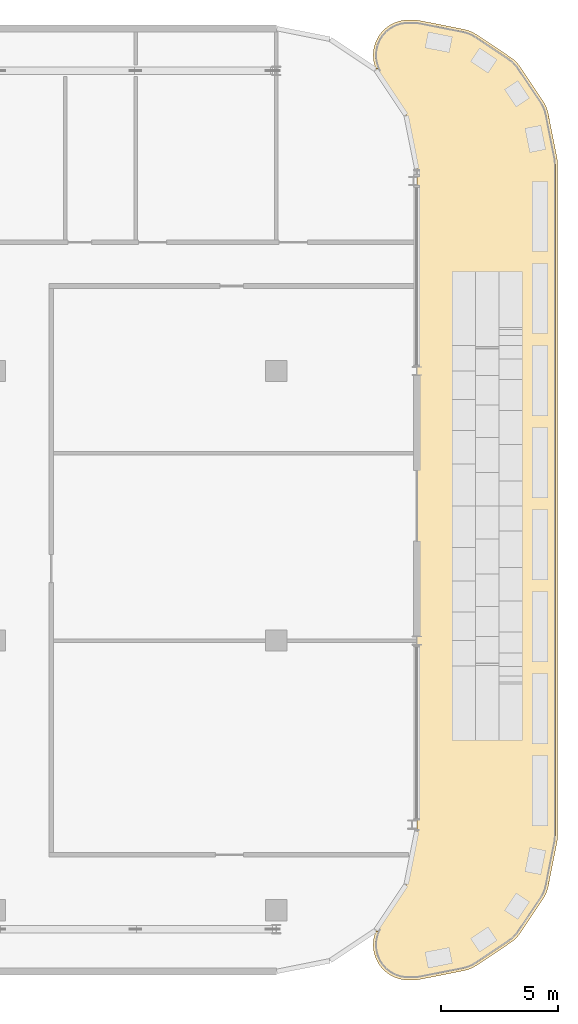
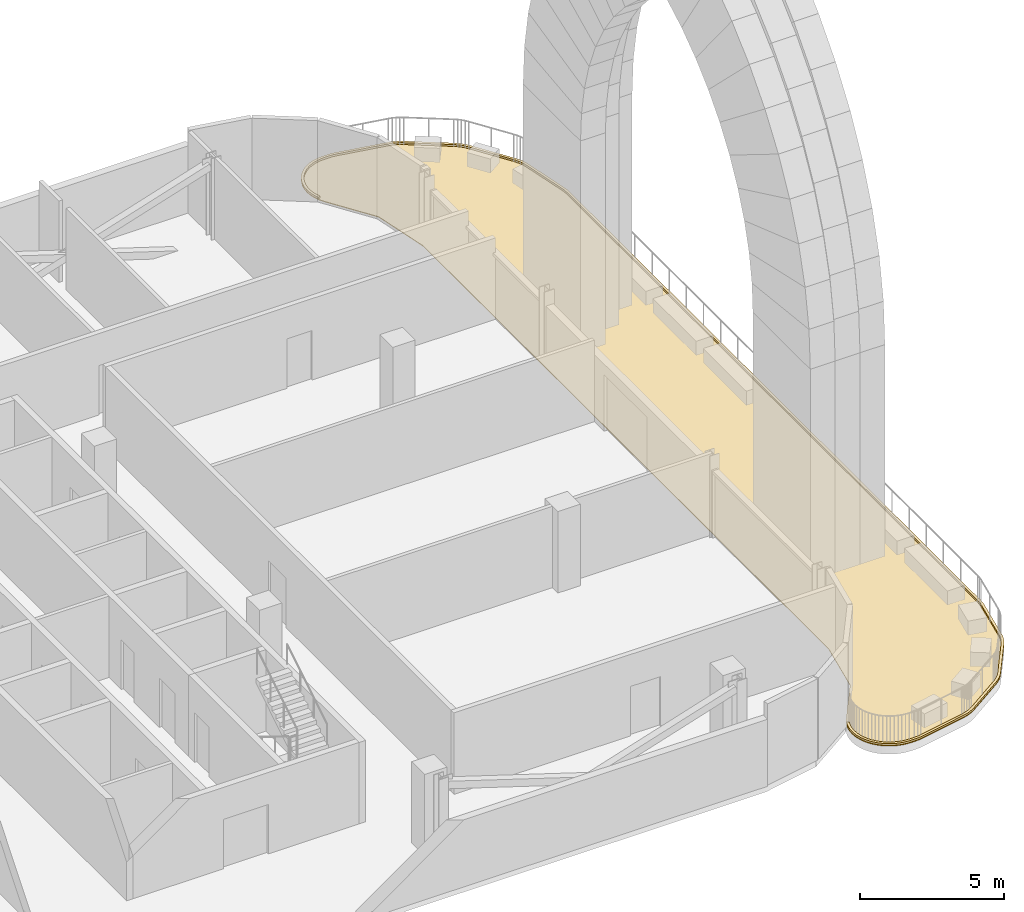
# One storey, part 29 of 30: 2 coverings.
"""IFC4 building model written with IfcOpenShell, lengths in metres."""

from ifc_helpers import new_model, si_unit, direction, frame, origin, place, context, subcontext, project, spatial, polyline, outline, extrude, material, layer, layer_set, type_object, element, save


model = new_model("IFC4")

# Units and contexts
model_context = context("Model", 3, precision=1e-05, world=origin(), true_north=direction((0.0, 1.0)))
body_context = subcontext(model_context, "Body", "Model", "MODEL_VIEW")
ifc_project = project(units=[si_unit("LENGTHUNIT", "METRE"), si_unit("AREAUNIT", "SQUARE_METRE"), si_unit("VOLUMEUNIT", "CUBIC_METRE"), si_unit("PLANEANGLEUNIT", "RADIAN"), si_unit("MASSUNIT", "GRAM", prefix="KILO")], contexts=[model_context])

# Site, building, storey
site_placement = place(None, origin())
site = spatial("IfcSite", under=ifc_project, at=site_placement, CompositionType="ELEMENT")
building_placement = place(site_placement, origin())
building = spatial("IfcBuilding", under=site, at=building_placement, Name="Mahtab Terrace Research Tower", CompositionType="ELEMENT")
storey_placement = place(building_placement, frame((0.0, 0.0, 263.300048828125)))
storey = spatial("IfcBuildingStorey", under=building, at=storey_placement, Name="L64", CompositionType="ELEMENT", Elevation=263.300048828125)

# Coverings
ifc_material_1 = material(Name="Precast concrete C40/50", Category="concrete")
ifc_layer_1 = layer(ifc_material_1, 0.199951171875)
ifc_layer_set_1 = layer_set([ifc_layer_1], Name="Precast coping 400")
covering_type_1 = type_object("IfcCoveringType", Name="Precast coping 400", PredefinedType="MOLDING", material=ifc_layer_set_1)
covering_1_placement = place(storey_placement, frame((0.0, 0.0, 0.030029296875)))
element("IfcCovering", 1, at=covering_1_placement, inside=storey, type_object=covering_type_1, Name="Terrace edge coping 7.1", PredefinedType="MOLDING", context=body_context, shape_type="SweptSolid", body=[
    extrude(outline(polyline([(46.340087890625, -12.43701171875), (46.2939453125, -12.56689453125), (46.260009765625, -12.698974609375), (46.240966796875, -12.8359375), (46.23388671875, -12.972900390625), (46.240966796875, -13.110107421875), (46.260009765625, -13.2470703125), (46.2939453125, -13.37890625), (46.340087890625, -13.509033203125), (46.39892578125, -13.633056640625), (46.468994140625, -13.7509765625), (46.551025390625, -13.861083984375), (46.64404296875, -13.962890625), (46.7451171875, -14.055908203125), (46.85595703125, -14.136962890625), (46.972900390625, -14.2080078125), (47.096923828125, -14.26611328125), (47.22705078125, -14.31201171875), (47.361083984375, -14.345947265625), (47.49609375, -14.365966796875), (47.635986328125, -14.373046875), (47.85009765625, -14.373046875), (47.989013671875, -14.365966796875), (48.1279296875, -14.344970703125), (49.98095703125, -13.97607421875), (50.116943359375, -13.943115234375), (50.2470703125, -13.89697265625), (50.37109375, -13.837890625), (50.490966796875, -13.76611328125), (51.93798828125, -12.799072265625), (52.050048828125, -12.717041015625), (52.15087890625, -12.6240234375), (52.243896484375, -12.52294921875), (52.325927734375, -12.410888671875), (53.29296875, -10.964111328125), (53.364990234375, -10.843994140625), (53.424072265625, -10.719970703125), (53.469970703125, -10.590087890625), (53.5029296875, -10.4541015625), (53.8720703125, -8.60107421875), (53.89306640625, -8.4619140625), (53.89990234375, -8.322998046875), (53.89990234375, 20.322998046875), (53.89306640625, 20.4619140625), (53.8720703125, 20.60107421875), (53.5029296875, 22.4541015625), (53.469970703125, 22.590087890625), (53.424072265625, 22.719970703125), (53.364990234375, 22.843994140625), (53.29296875, 22.964111328125), (52.325927734375, 24.410888671875), (52.243896484375, 24.52294921875), (52.15087890625, 24.6240234375), (52.050048828125, 24.717041015625), (51.93798828125, 24.799072265625), (50.490966796875, 25.76611328125), (50.37109375, 25.837890625), (50.2470703125, 25.89697265625), (50.116943359375, 25.943115234375), (49.98095703125, 25.97607421875), (48.1279296875, 26.344970703125), (47.989013671875, 26.365966796875), (47.85009765625, 26.373046875), (47.635986328125, 26.373046875), (47.49609375, 26.365966796875), (47.361083984375, 26.345947265625), (47.22705078125, 26.31201171875), (47.096923828125, 26.26611328125), (46.972900390625, 26.2080078125), (46.85595703125, 26.136962890625), (46.7451171875, 26.055908203125), (46.64404296875, 25.962890625), (46.551025390625, 25.861083984375), (46.468994140625, 25.7509765625), (46.39892578125, 25.633056640625), (46.340087890625, 25.509033203125), (46.2939453125, 25.37890625), (46.260009765625, 25.2470703125), (46.240966796875, 25.110107421875), (46.23388671875, 24.972900390625), (46.240966796875, 24.8359375), (46.260009765625, 24.698974609375), (46.2939453125, 24.56689453125), (46.340087890625, 24.43701171875), (46.345947265625, 24.425048828125), (46.256103515625, 24.383056640625), (46.2490234375, 24.39697265625), (46.2470703125, 24.40087890625), (46.198974609375, 24.535888671875), (46.197021484375, 24.5400390625), (46.1630859375, 24.677001953125), (46.162109375, 24.68310546875), (46.14111328125, 24.823974609375), (46.14111328125, 24.827880859375), (46.134033203125, 24.970947265625), (46.134033203125, 24.97509765625), (46.14111328125, 25.117919921875), (46.14111328125, 25.1220703125), (46.162109375, 25.262939453125), (46.1630859375, 25.26904296875), (46.197021484375, 25.406005859375), (46.198974609375, 25.409912109375), (46.2470703125, 25.544921875), (46.2490234375, 25.549072265625), (46.31005859375, 25.677978515625), (46.31201171875, 25.681884765625), (46.385009765625, 25.803955078125), (46.386962890625, 25.80810546875), (46.472900390625, 25.923095703125), (46.47607421875, 25.927001953125), (46.571044921875, 26.031982421875), (46.574951171875, 26.035888671875), (46.679931640625, 26.131103515625), (46.68408203125, 26.135009765625), (46.798095703125, 26.218994140625), (46.802001953125, 26.220947265625), (46.924072265625, 26.294921875), (46.927978515625, 26.297119140625), (47.056884765625, 26.35791015625), (47.06103515625, 26.360107421875), (47.196044921875, 26.406982421875), (47.199951171875, 26.408935546875), (47.339111328125, 26.443115234375), (47.343017578125, 26.444091796875), (47.48291015625, 26.466064453125), (47.489013671875, 26.466064453125), (47.633056640625, 26.472900390625), (47.635009765625, 26.472900390625), (47.85107421875, 26.472900390625), (47.85302734375, 26.472900390625), (47.99609375, 26.466064453125), (48.001953125, 26.466064453125), (48.14404296875, 26.444091796875), (48.14599609375, 26.444091796875), (50.001953125, 26.073974609375), (50.00390625, 26.073974609375), (50.14306640625, 26.0400390625), (50.14794921875, 26.0380859375), (50.282958984375, 25.989990234375), (50.287109375, 25.988037109375), (50.416015625, 25.927001953125), (50.419921875, 25.925048828125), (50.54296875, 25.85205078125), (50.544921875, 25.85009765625), (51.993896484375, 24.882080078125), (51.99609375, 24.8798828125), (52.111083984375, 24.7958984375), (52.114990234375, 24.7919921875), (52.219970703125, 24.697021484375), (52.22412109375, 24.693115234375), (52.319091796875, 24.587890625), (52.322998046875, 24.583984375), (52.406982421875, 24.468994140625), (52.408935546875, 24.467041015625), (53.376953125, 23.01806640625), (53.37890625, 23.01611328125), (53.451904296875, 22.89306640625), (53.4541015625, 22.888916015625), (53.514892578125, 22.760009765625), (53.51708984375, 22.756103515625), (53.56494140625, 22.62109375), (53.56689453125, 22.615966796875), (53.60107421875, 22.47705078125), (53.60107421875, 22.47509765625), (53.970947265625, 20.618896484375), (53.970947265625, 20.616943359375), (53.992919921875, 20.47509765625), (53.992919921875, 20.468994140625), (54.0, 20.325927734375), (54.0, 20.323974609375), (54.0, -8.323974609375), (54.0, -8.325927734375), (53.992919921875, -8.468994140625), (53.992919921875, -8.47509765625), (53.970947265625, -8.616943359375), (53.970947265625, -8.618896484375), (53.60107421875, -10.47509765625), (53.60107421875, -10.47705078125), (53.56689453125, -10.615966796875), (53.56494140625, -10.62109375), (53.51708984375, -10.756103515625), (53.514892578125, -10.760009765625), (53.4541015625, -10.888916015625), (53.451904296875, -10.89306640625), (53.37890625, -11.01611328125), (53.376953125, -11.01806640625), (52.408935546875, -12.467041015625), (52.406982421875, -12.468994140625), (52.322998046875, -12.583984375), (52.319091796875, -12.587890625), (52.22412109375, -12.693115234375), (52.219970703125, -12.697021484375), (52.114990234375, -12.7919921875), (52.111083984375, -12.7958984375), (51.99609375, -12.8798828125), (51.993896484375, -12.882080078125), (50.544921875, -13.85009765625), (50.54296875, -13.85205078125), (50.419921875, -13.925048828125), (50.416015625, -13.927001953125), (50.287109375, -13.988037109375), (50.282958984375, -13.989990234375), (50.14794921875, -14.0380859375), (50.14306640625, -14.0400390625), (50.00390625, -14.073974609375), (50.001953125, -14.073974609375), (48.14599609375, -14.444091796875), (48.14404296875, -14.444091796875), (48.001953125, -14.466064453125), (47.99609375, -14.466064453125), (47.85302734375, -14.472900390625), (47.85107421875, -14.472900390625), (47.635009765625, -14.472900390625), (47.633056640625, -14.472900390625), (47.489013671875, -14.466064453125), (47.48291015625, -14.466064453125), (47.343017578125, -14.444091796875), (47.339111328125, -14.443115234375), (47.199951171875, -14.408935546875), (47.196044921875, -14.406982421875), (47.06103515625, -14.360107421875), (47.056884765625, -14.35791015625), (46.927978515625, -14.297119140625), (46.924072265625, -14.294921875), (46.802001953125, -14.220947265625), (46.798095703125, -14.218994140625), (46.68408203125, -14.135009765625), (46.679931640625, -14.131103515625), (46.574951171875, -14.035888671875), (46.571044921875, -14.031982421875), (46.47607421875, -13.927001953125), (46.472900390625, -13.923095703125), (46.386962890625, -13.80810546875), (46.385009765625, -13.803955078125), (46.31201171875, -13.681884765625), (46.31005859375, -13.677978515625), (46.2490234375, -13.549072265625), (46.2470703125, -13.544921875), (46.198974609375, -13.409912109375), (46.197021484375, -13.406005859375), (46.1630859375, -13.26904296875), (46.162109375, -13.262939453125), (46.14111328125, -13.1220703125), (46.14111328125, -13.117919921875), (46.134033203125, -12.97509765625), (46.134033203125, -12.970947265625), (46.14111328125, -12.827880859375), (46.14111328125, -12.823974609375), (46.162109375, -12.68310546875), (46.1630859375, -12.677001953125), (46.197021484375, -12.5400390625), (46.198974609375, -12.535888671875), (46.2470703125, -12.40087890625), (46.2490234375, -12.39697265625), (46.256103515625, -12.383056640625), (46.345947265625, -12.425048828125), (46.340087890625, -12.43701171875)])), origin(), (0.0, 0.0, 1.0), 0.079833984375),
])
ifc_material_2 = material(Name="Granite paving", Category="masonry")
ifc_layer_2 = layer(ifc_material_2, 0.030029296875)
ifc_layer_set_2 = layer_set([ifc_layer_2], Name="Terrace roof build-up with granite pavers")
covering_type_2 = type_object("IfcCoveringType", Name="Terrace roof build-up with granite pavers", PredefinedType="ROOFING", material=ifc_layer_set_2)
covering_2_placement = place(storey_placement, origin())
element("IfcCovering", 2, at=covering_2_placement, inside=storey, type_object=covering_type_2, Name="Terrace paving 7", PredefinedType="ROOFING", context=body_context, shape_type="SweptSolid", body=[
    extrude(outline(polyline([(47.52294921875, 22.43896484375), (47.5419921875, 22.406982421875), (47.550048828125, 22.3720703125), (47.992919921875, 20.14794921875), (47.998046875, 20.112060546875), (48.0, 20.074951171875), (48.0, -8.074951171875), (47.998046875, -8.112060546875), (47.992919921875, -8.14794921875), (47.550048828125, -10.3720703125), (47.5419921875, -10.406982421875), (47.52294921875, -10.43896484375), (46.385986328125, -12.139892578125), (46.31103515625, -12.26611328125), (46.248046875, -12.39892578125), (46.197998046875, -12.5380859375), (46.162109375, -12.679931640625), (46.14111328125, -12.825927734375), (46.134033203125, -12.972900390625), (46.14111328125, -13.1201171875), (46.162109375, -13.26611328125), (46.197998046875, -13.407958984375), (46.248046875, -13.547119140625), (46.31103515625, -13.679931640625), (46.385986328125, -13.805908203125), (46.47412109375, -13.925048828125), (46.572998046875, -14.033935546875), (46.681884765625, -14.133056640625), (46.800048828125, -14.219970703125), (46.926025390625, -14.2958984375), (47.05908203125, -14.35888671875), (47.197998046875, -14.407958984375), (47.341064453125, -14.444091796875), (47.486083984375, -14.466064453125), (47.634033203125, -14.472900390625), (47.85205078125, -14.472900390625), (47.9990234375, -14.466064453125), (48.14501953125, -14.444091796875), (50.0029296875, -14.073974609375), (50.14599609375, -14.0390625), (50.284912109375, -13.989013671875), (50.41796875, -13.926025390625), (50.5439453125, -13.85107421875), (51.9951171875, -12.881103515625), (52.113037109375, -12.7939453125), (52.221923828125, -12.695068359375), (52.321044921875, -12.5859375), (52.407958984375, -12.468017578125), (53.3779296875, -11.01708984375), (53.452880859375, -10.89111328125), (53.51611328125, -10.758056640625), (53.56591796875, -10.618896484375), (53.60107421875, -10.47607421875), (53.970947265625, -8.617919921875), (53.992919921875, -8.471923828125), (54.0, -8.324951171875), (54.0, 20.324951171875), (53.992919921875, 20.471923828125), (53.970947265625, 20.617919921875), (53.60107421875, 22.47607421875), (53.56591796875, 22.618896484375), (53.51611328125, 22.758056640625), (53.452880859375, 22.89111328125), (53.3779296875, 23.01708984375), (52.407958984375, 24.468017578125), (52.321044921875, 24.5859375), (52.221923828125, 24.695068359375), (52.113037109375, 24.7939453125), (51.9951171875, 24.881103515625), (50.5439453125, 25.85107421875), (50.41796875, 25.926025390625), (50.284912109375, 25.989013671875), (50.14599609375, 26.0390625), (50.0029296875, 26.073974609375), (48.14501953125, 26.444091796875), (47.9990234375, 26.466064453125), (47.85205078125, 26.472900390625), (47.634033203125, 26.472900390625), (47.486083984375, 26.466064453125), (47.341064453125, 26.444091796875), (47.197998046875, 26.407958984375), (47.05908203125, 26.35888671875), (46.926025390625, 26.2958984375), (46.800048828125, 26.219970703125), (46.681884765625, 26.133056640625), (46.572998046875, 26.033935546875), (46.47412109375, 25.925048828125), (46.385986328125, 25.805908203125), (46.31103515625, 25.679931640625), (46.248046875, 25.547119140625), (46.197998046875, 25.407958984375), (46.162109375, 25.26611328125), (46.14111328125, 25.1201171875), (46.134033203125, 24.972900390625), (46.14111328125, 24.825927734375), (46.162109375, 24.679931640625), (46.197998046875, 24.5380859375), (46.248046875, 24.39892578125), (46.31103515625, 24.26611328125), (46.385986328125, 24.139892578125), (47.52294921875, 22.43896484375)])), origin(), (0.0, 0.0, 1.0), 0.030029296875),
])

save(model, "model.ifc")
